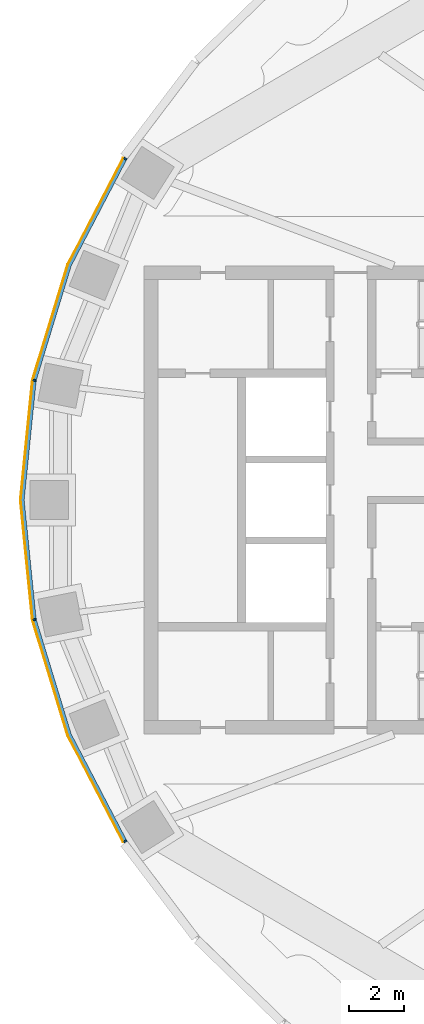
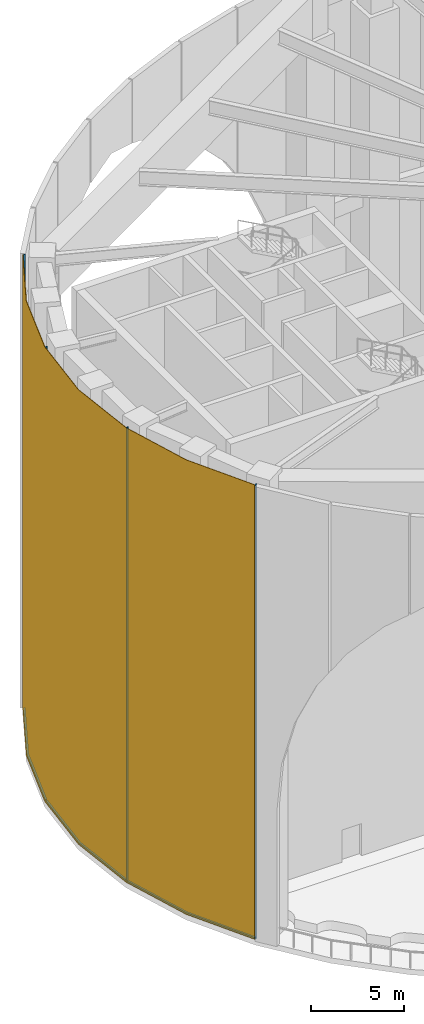
# One storey, part 8 of 26: 7 members, 1 curtain wall.
"""IFC4 building model written with IfcOpenShell, lengths in metres."""

import ifcopenshell
import ifcopenshell.guid

model = None  # the IFC model being written
_history = None  # IfcOwnerHistory: only IFC2X3 demands one
_inside = {}  # id of a spatial element -> (the spatial element, [elements in it])
_under = {}  # id of a project, library or spatial element -> (it, [spatial elements below it])
_declared = {}  # id of a project -> (the project, [libraries it declares])
_typed = {}  # id of a type object -> (the type object, [elements of that type])
_made_of = {}  # id of a material, layer set ... -> (it, [elements and type objects made of it])


def new_model(schema):
    """Start an empty IFC model of exactly this schema.

    Asked for "IFC4X3", IfcOpenShell would pick the latest addendum, in which some entities
    have other attributes; the version numbers below select the first issue.
    IFC2X3 requires an IfcOwnerHistory on every rooted entity: one is made here for all.
    """
    global model, _history
    if schema == "IFC4X3":
        model = ifcopenshell.file(schema_version=(4, 3, 0, 0))
    else:
        model = ifcopenshell.file(schema=schema)
    _inside.clear()
    _under.clear()
    _declared.clear()
    _typed.clear()
    _made_of.clear()
    _history = None
    if model.schema == "IFC2X3":
        org = make("IfcOrganization", Name="unknown")
        user = make(
            "IfcPersonAndOrganization",
            ThePerson=make("IfcPerson", FamilyName="unknown"),
            TheOrganization=org,
        )
        app = make(
            "IfcApplication",
            ApplicationDeveloper=org,
            Version="unknown",
            ApplicationFullName="unknown",
            ApplicationIdentifier="unknown",
        )
        _history = make(
            "IfcOwnerHistory",
            OwningUser=user,
            OwningApplication=app,
            ChangeAction="ADDED",
            CreationDate=0,
        )
    return model


def make(cls, **values):
    """One entity of the class cls with the attributes given. An attribute that is None is left unset."""
    return model.create_entity(
        cls, **{name: value for name, value in values.items() if value is not None}
    )


def rooted(cls, **values):
    """An entity with a GlobalId (a new one), such as an element, a storey or a relation."""
    return make(cls, GlobalId=ifcopenshell.guid.new(), OwnerHistory=_history, **values)


def si_unit(unit_type, name, prefix=None):
    """IfcSIUnit, for example si_unit("LENGTHUNIT", "METRE", prefix="MILLI")."""
    return make("IfcSIUnit", UnitType=unit_type, Prefix=prefix, Name=name)


def assignment(units):
    """IfcUnitAssignment: the units of a project."""
    return None if units is None else make("IfcUnitAssignment", Units=units)


def point(xyz):
    """IfcCartesianPoint."""
    return None if xyz is None else make("IfcCartesianPoint", Coordinates=xyz)


def direction(xyz):
    """IfcDirection."""
    return None if xyz is None else make("IfcDirection", DirectionRatios=xyz)


def frame(location, z_axis=None, x_axis=None):
    """IfcAxis2Placement3D, a coordinate frame: its origin and axes. An axis left out is left unset."""
    return make(
        "IfcAxis2Placement3D",
        Location=point(location),
        Axis=direction(z_axis),
        RefDirection=direction(x_axis),
    )


def frame_2d(location, x_axis=None):
    """IfcAxis2Placement2D, a coordinate frame in the plane: its origin and x axis."""
    return make(
        "IfcAxis2Placement2D", Location=point(location), RefDirection=direction(x_axis)
    )


def origin():
    """The frame at (0, 0, 0) with its axes left unset."""
    return frame((0.0, 0.0, 0.0))


def origin_2d():
    """The frame at (0, 0) in the plane with its x axis left unset."""
    return frame_2d((0.0, 0.0))


def place(relative_to, where):
    """IfcLocalPlacement: puts the frame where relative to a parent placement (None: the world)."""
    return make(
        "IfcLocalPlacement", PlacementRelTo=relative_to, RelativePlacement=where
    )


def context(
    kind, dimensions, precision=None, world=None, true_north=None, identifier=None
):
    """IfcGeometricRepresentationContext, for example the 3D "Model" context."""
    return make(
        "IfcGeometricRepresentationContext",
        ContextIdentifier=identifier,
        ContextType=kind,
        CoordinateSpaceDimension=dimensions,
        Precision=precision,
        WorldCoordinateSystem=world,
        TrueNorth=true_north,
    )


def subcontext(parent, identifier, kind, view, scale=None):
    """IfcGeometricRepresentationSubContext, for example "Body" below "Model"."""
    return make(
        "IfcGeometricRepresentationSubContext",
        ContextIdentifier=identifier,
        ContextType=kind,
        ParentContext=parent,
        TargetScale=scale,
        TargetView=view,
    )


def project(units=None, contexts=None):
    """IfcProject with its units and contexts."""
    return rooted(
        "IfcProject",
        Name="project",
        RepresentationContexts=contexts,
        UnitsInContext=assignment(units),
    )


def spatial(cls, under=None, at=None, **own):
    """A site, building, storey or space (cls), placed at a placement, below another one or the project."""
    s = rooted(cls, ObjectPlacement=at, **own)
    if under is not None:
        _under.setdefault(under.id(), (under, []))[1].append(s)
    return s


def polyline(points):
    """IfcPolyline through the points."""
    return make("IfcPolyline", Points=[point(p) for p in points])


def profile(cls, at=None, kind="AREA", **sizes):
    """A parametric profile (cls). Its sizes go by their IFC names, for example OverallWidth=200.0."""
    return make(cls, ProfileType=kind, Position=at, **sizes)


def rectangle(**sizes):
    """IfcRectangleProfileDef."""
    return profile("IfcRectangleProfileDef", **sizes)


def outline(outer, holes=None, kind="AREA"):
    """IfcArbitraryClosedProfileDef: a profile drawn as a closed curve; with holes, ...WithVoids."""
    if holes is None:
        return make("IfcArbitraryClosedProfileDef", ProfileType=kind, OuterCurve=outer)
    return make(
        "IfcArbitraryProfileDefWithVoids",
        ProfileType=kind,
        OuterCurve=outer,
        InnerCurves=holes,
    )


def extrude(swept, where, along, depth):
    """IfcExtrudedAreaSolid: the profile swept, set in the frame where, extruded along a direction by depth."""
    return make(
        "IfcExtrudedAreaSolid",
        SweptArea=swept,
        Position=where,
        ExtrudedDirection=direction(along),
        Depth=depth,
    )


def shape(context_of_items, identifier, shape_type, items):
    """IfcShapeRepresentation: the items that make up one representation, for example the "Body"."""
    return make(
        "IfcShapeRepresentation",
        ContextOfItems=context_of_items,
        RepresentationIdentifier=identifier,
        RepresentationType=shape_type,
        Items=items,
    )


def material(Name=None, Category=None):
    """IfcMaterial."""
    return make("IfcMaterial", Name=Name, Category=Category)


def layer(
    of_material, thickness, ventilated=None, Name=None, Category=None, Priority=None
):
    """IfcMaterialLayer: one layer of a wall or slab, of a material (None: an air gap)."""
    return make(
        "IfcMaterialLayer",
        Material=of_material,
        LayerThickness=thickness,
        IsVentilated=ventilated,
        Name=Name,
        Category=Category,
        Priority=Priority,
    )


def layer_set(layers, Name=None):
    """IfcMaterialLayerSet."""
    return make("IfcMaterialLayerSet", MaterialLayers=layers, LayerSetName=Name)


def material_profile(
    of_material, cross_section, Name=None, Category=None, Priority=None
):
    """IfcMaterialProfile: a cross section and its material."""
    return make(
        "IfcMaterialProfile",
        Name=Name,
        Material=of_material,
        Profile=cross_section,
        Priority=Priority,
        Category=Category,
    )


def profile_set(profiles, Name=None, composite=None):
    """IfcMaterialProfileSet."""
    return make(
        "IfcMaterialProfileSet",
        Name=Name,
        MaterialProfiles=profiles,
        CompositeProfile=composite,
    )


def made_of(thing, what):
    """Note that an element or type object is made of a material, layer set ...; save() writes the relation."""
    if what is not None:
        _made_of.setdefault(what.id(), (what, []))[1].append(thing)
    return thing


def type_object(cls, material=None, **own):
    """A type object (cls), such as IfcWallType, which elements share."""
    return made_of(rooted(cls, **own), material)


def element(
    cls,
    number,
    at=None,
    inside=None,
    cuts=None,
    type_object=None,
    material=None,
    context=None,
    identifier="Body",
    shape_type=None,
    held_by="IfcProductDefinitionShape",
    body=None,
    shapes=None,
    **own,
):
    """One element of the class cls, such as IfcWall. Its Tag is "e" and its number.

    at: its placement. inside: the storey or other place that contains it. cuts: it is an
    opening in that element (IfcRelVoidsElement). A single representation is given by context,
    identifier, shape_type and body (its items); several are given by shapes. held_by: the class
    of the entity that holds the representations. save() writes the other relations.
    """
    e = rooted(cls, Tag="e%d" % number, ObjectPlacement=at, **own)
    if body is not None:
        shapes = [shape(context, identifier, shape_type, body)]
    if shapes is not None:
        e.Representation = make(held_by, Representations=shapes)
    if inside is not None:
        _inside.setdefault(inside.id(), (inside, []))[1].append(e)
    if cuts is not None:
        rooted(
            "IfcRelVoidsElement", RelatingBuildingElement=cuts, RelatedOpeningElement=e
        )
    if type_object is not None:
        _typed.setdefault(type_object.id(), (type_object, []))[1].append(e)
    return made_of(e, material)


def aggregate(whole, parts):
    """IfcRelAggregates: a whole, such as a stair, and the parts it consists of."""
    return rooted("IfcRelAggregates", RelatingObject=whole, RelatedObjects=parts)


def save(model, path):
    """Write the relations noted so far, then the file.

    IfcRelAggregates (storeys below a building ...), IfcRelContainedInSpatialStructure (elements
    in a storey), IfcRelDefinesByType, IfcRelAssociatesMaterial and IfcRelDeclares: one each for
    every whole, place, type object, material and project.
    """
    for whole, parts in _under.values():
        aggregate(whole, parts)
    for where, things in _inside.values():
        rooted(
            "IfcRelContainedInSpatialStructure",
            RelatedElements=things,
            RelatingStructure=where,
        )
    for kind, things in _typed.values():
        rooted("IfcRelDefinesByType", RelatedObjects=things, RelatingType=kind)
    for what, things in _made_of.values():
        rooted("IfcRelAssociatesMaterial", RelatedObjects=things, RelatingMaterial=what)
    for by, libraries in _declared.values():
        rooted("IfcRelDeclares", RelatingContext=by, RelatedDefinitions=libraries)
    model.write(path)


model = new_model("IFC4")

# Units and contexts
model_context = context("Model", 3, precision=1e-05, world=origin(), true_north=direction((0.0, 1.0)))
body_context = subcontext(model_context, "Body", "Model", "MODEL_VIEW")
ifc_project = project(units=[si_unit("LENGTHUNIT", "METRE"), si_unit("AREAUNIT", "SQUARE_METRE"), si_unit("VOLUMEUNIT", "CUBIC_METRE"), si_unit("PLANEANGLEUNIT", "RADIAN"), si_unit("MASSUNIT", "GRAM", prefix="KILO")], contexts=[model_context])

# Member
ifc_material_1 = material(Name="Aluminium 6063-T6 black anodised", Category="aluminium")
ifc_material_profile = material_profile(ifc_material_1, rectangle(XDim=0.1201171875, YDim=0.06005859375, at=origin_2d()), Name="120x60")
ifc_profile_set = profile_set([ifc_material_profile], Name="Aluminium 6063-T6 black anodised")
member_type_1 = type_object("IfcMemberType", Name="ENV-MULLION-A-120", PredefinedType="MULLION", material=ifc_profile_set)
site_placement = place(None, origin())
building_placement = place(site_placement, origin())
storey_placement = place(building_placement, frame((0.0, 0.0, 203.5)))
member_1_placement = place(storey_placement, frame((-32.177490234375, 12.385498046875, 0.0), z_axis=(0.0, 0.0, 1.0), x_axis=(0.844829880882, -0.53503501976, 0.0)))
member_1 = element("IfcMember", 1, at=member_1_placement, type_object=member_type_1, Name="Mullion A radial 21", PredefinedType="MULLION", context=body_context, shape_type="SweptSolid", body=[
    extrude(rectangle(XDim=0.1201171875, YDim=0.06005859375, at=origin_2d()), origin(), (0.0, 0.0, 1.0), 29.699951171875),
])

member_2_placement = place(storey_placement, frame((-35.470947265625, 4.340576171875, 0.0), z_axis=(0.0, 0.0, 1.0), x_axis=(0.980379083141, -0.19712141776, 0.0)))
member_2 = element("IfcMember", 2, at=member_2_placement, type_object=member_type_1, Name="Mullion A radial 23", PredefinedType="MULLION", context=body_context, shape_type="SweptSolid", body=[
    extrude(rectangle(XDim=0.1201171875, YDim=0.06005859375, at=origin_2d()), origin(), (0.0, 0.0, 1.0), 29.699951171875),
])

member_3_placement = place(storey_placement, frame((-35.470947265625, -4.340576171875, 0.0), z_axis=(0.0, 0.0, 1.0), x_axis=(0.980379083141, 0.19712141776, 0.0)))
member_3 = element("IfcMember", 3, at=member_3_placement, type_object=member_type_1, Name="Mullion A radial 25", PredefinedType="MULLION", context=body_context, shape_type="SweptSolid", body=[
    extrude(rectangle(XDim=0.1201171875, YDim=0.06005859375, at=origin_2d()), origin(), (0.0, 0.0, 1.0), 29.699951171875),
])

member_4_placement = place(storey_placement, frame((-32.177490234375, -12.385498046875, 0.0), z_axis=(0.0, 0.0, 1.0), x_axis=(0.844829880882, 0.53503501976, 0.0)))
member_4 = element("IfcMember", 4, at=member_4_placement, type_object=member_type_1, Name="Mullion A radial 27", PredefinedType="MULLION", context=body_context, shape_type="SweptSolid", body=[
    extrude(rectangle(XDim=0.1201171875, YDim=0.06005859375, at=origin_2d()), origin(), (0.0, 0.0, 1.0), 29.699951171875),
])

ifc_material_2 = material(Name="Aluminium 6063-T6 black anodised", Category="aluminium")
member_type_2 = type_object("IfcMemberType", Name="ENV-TRANSOM-A", PredefinedType="USERDEFINED", material=ifc_material_2)
member_5_placement = place(storey_placement, origin())
member_5 = element("IfcMember", 5, at=member_5_placement, type_object=member_type_2, Name="Transom A radial 21-23", ObjectType="TRANSOM", PredefinedType="USERDEFINED", context=body_context, shape_type="SweptSolid", body=[
    extrude(outline(polyline([(-32.240966796875, 12.392578125), (-34.251220703125, 8.53662109375), (-35.521484375, 4.379150390625), (-35.4033203125, 4.355224609375), (-34.139892578125, 8.490966796875), (-32.139404296875, 12.328369140625), (-32.240966796875, 12.392578125)])), origin(), (0.0, 0.0, 1.0), 0.10009765625),
])

member_6_placement = place(storey_placement, origin())
member_6 = element("IfcMember", 6, at=member_6_placement, type_object=member_type_2, Name="Transom A radial 23-25", ObjectType="TRANSOM", PredefinedType="USERDEFINED", context=body_context, shape_type="SweptSolid", body=[
    extrude(outline(polyline([(-35.532470703125, 4.324462890625), (-35.9677734375, 0.0), (-35.532470703125, -4.324462890625), (-35.414306640625, -4.30078125), (-35.84716796875, 0.0), (-35.414306640625, 4.30078125), (-35.532470703125, 4.324462890625)])), origin(), (0.0, 0.0, 1.0), 0.10009765625),
])

member_7_placement = place(storey_placement, origin())
member_7 = element("IfcMember", 7, at=member_7_placement, type_object=member_type_2, Name="Transom A radial 25-27", ObjectType="TRANSOM", PredefinedType="USERDEFINED", context=body_context, shape_type="SweptSolid", body=[
    extrude(outline(polyline([(-35.521484375, -4.379150390625), (-34.251220703125, -8.53662109375), (-32.240966796875, -12.392578125), (-32.139404296875, -12.328369140625), (-34.139892578125, -8.490966796875), (-35.4033203125, -4.355224609375), (-35.521484375, -4.379150390625)])), origin(), (0.0, 0.0, 1.0), 0.10009765625),
])

# Site, building, storey
site = spatial("IfcSite", under=ifc_project, at=site_placement, CompositionType="ELEMENT")
building = spatial("IfcBuilding", under=site, at=building_placement, Name="Noorbagh Ring Tower", CompositionType="ELEMENT")
storey = spatial("IfcBuildingStorey", under=building, at=storey_placement, Name="L47", CompositionType="ELEMENT", Elevation=203.5)

# Curtain wall
ifc_material_3 = material(Name="Glass dark tinted laminated", Category="glass")
ifc_layer = layer(ifc_material_3, 0.031982421875)
ifc_layer_set = layer_set([ifc_layer], Name="Glass dark tinted laminated")
curtain_wall_type = type_object("IfcCurtainWallType", Name="ENV-CW-A", PredefinedType="NOTDEFINED", material=ifc_layer_set)
curtain_wall_placement = place(storey_placement, origin())
curtain_wall = element("IfcCurtainWall", 8, at=curtain_wall_placement, inside=storey, type_object=curtain_wall_type, Name="Curtain wall A R21", PredefinedType="NOTDEFINED", context=body_context, shape_type="SweptSolid", body=[
    extrude(outline(polyline([(-32.264404296875, 12.4169921875), (-34.281005859375, 8.548828125), (-35.561279296875, 4.358642578125), (-36.0, 0.0), (-35.561279296875, -4.358642578125), (-34.281005859375, -8.548828125), (-32.264404296875, -12.4169921875), (-32.2373046875, -12.39990234375), (-34.251220703125, -8.53662109375), (-35.529541015625, -4.352294921875), (-35.9677734375, 0.0), (-35.529541015625, 4.352294921875), (-34.251220703125, 8.53662109375), (-32.2373046875, 12.39990234375), (-32.264404296875, 12.4169921875)])), origin(), (0.0, 0.0, 1.0), 29.699951171875),
])

aggregate(curtain_wall, [member_1, member_2, member_3, member_4, member_5, member_6, member_7])

save(model, "model.ifc")
